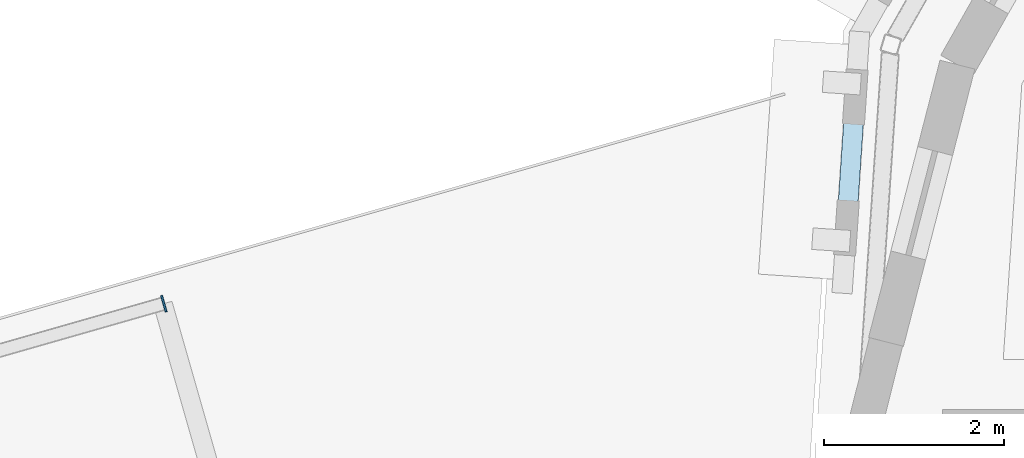
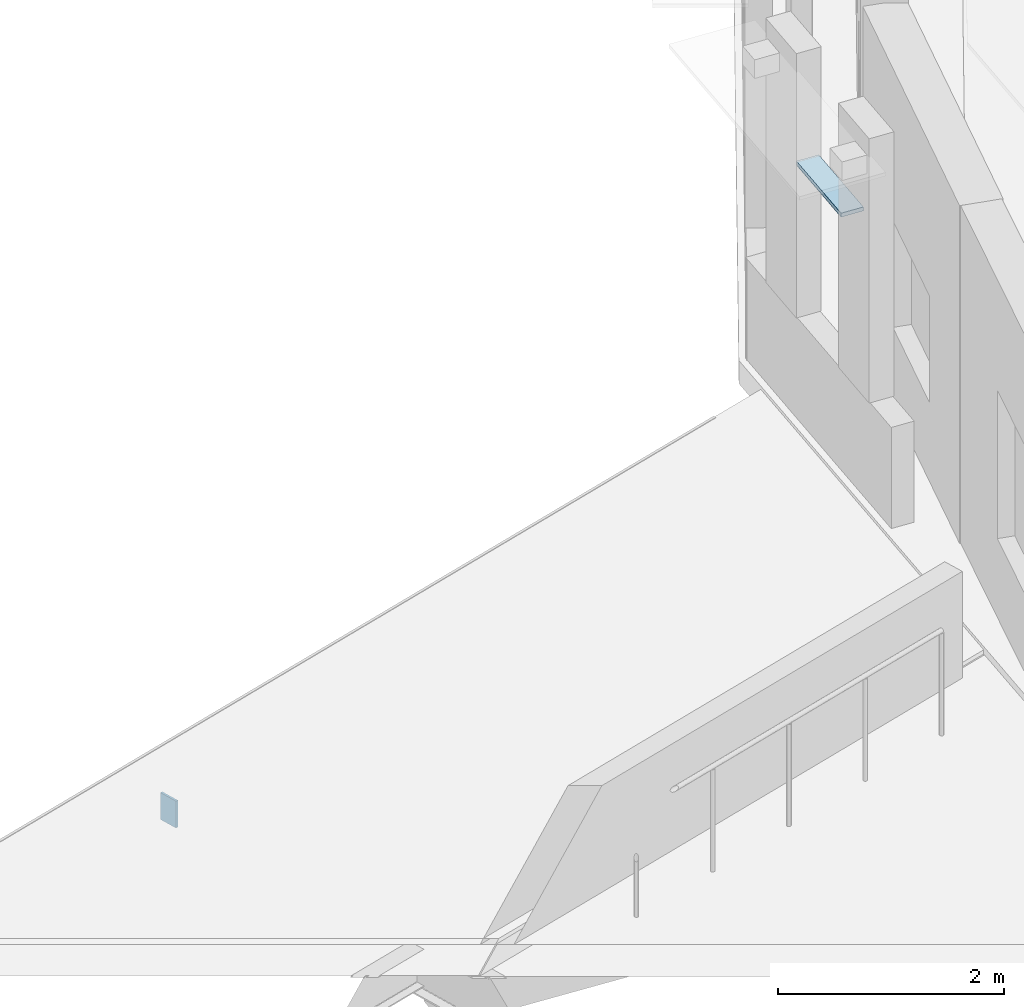
# One storey, part 48 of 90: 2 plates.
"""IFC4 building model written with IfcOpenShell, lengths in metres."""

from ifc_helpers import new_model, si_unit, direction, frame, origin, origin_2d, place, context, subcontext, project, spatial, rectangle, extrude, material, layer, layer_set, type_object, element, save


model = new_model("IFC4")

# Units and contexts
model_context = context("Model", 3, precision=1e-05, world=origin(), true_north=direction((0.0, 1.0)))
body_context = subcontext(model_context, "Body", "Model", "MODEL_VIEW")
ifc_project = project(units=[si_unit("LENGTHUNIT", "METRE"), si_unit("AREAUNIT", "SQUARE_METRE"), si_unit("VOLUMEUNIT", "CUBIC_METRE"), si_unit("PLANEANGLEUNIT", "RADIAN"), si_unit("MASSUNIT", "GRAM", prefix="KILO")], contexts=[model_context])

# Site, building, storey
site_placement = place(None, origin())
site = spatial("IfcSite", under=ifc_project, at=site_placement, CompositionType="ELEMENT")
building_placement = place(site_placement, origin())
building = spatial("IfcBuilding", under=site, at=building_placement, Name="Wrenclough Park School", CompositionType="ELEMENT")
storey_placement = place(building_placement, frame((0.0, 0.0, 8.39990234375)))
storey = spatial("IfcBuildingStorey", under=building, at=storey_placement, Name="L02", CompositionType="ELEMENT", Elevation=8.39990234375)

# Plates
ifc_material_1 = material(Name="Anodised architectural aluminium solar shading fin plate", Category="aluminium")
ifc_layer_1 = layer(ifc_material_1, 0.0380859375)
ifc_layer_set_1 = layer_set([ifc_layer_1], Name="Anodised architectural aluminium solar shading fin plate")
plate_type_1 = type_object("IfcPlateType", Name="ENV-PL-BSF", PredefinedType="SHEET", material=ifc_layer_set_1)
plate_1_placement = place(storey_placement, frame((68.715087890625, 111.345458984375, 2.72216796875), z_axis=(0.0, 0.0, 1.0), x_axis=(-0.067273779956, -0.99773455314, 0.0)))
element("IfcPlate", 1, at=plate_1_placement, inside=storey, type_object=plate_type_1, Name="D4 L02 open-bond brick screen tie band 0418", PredefinedType="SHEET", context=body_context, shape_type="SweptSolid", body=[
    extrude(rectangle(XDim=0.896728515625, YDim=0.219970703125, at=origin_2d()), origin(), (0.0, 0.0, 1.0), 0.0419921875),
])
ifc_material_2 = material(Name="Structural steel S355", Category="steel")
ifc_layer_2 = layer(ifc_material_2, 0.2900390625)
ifc_layer_set_2 = layer_set([ifc_layer_2], Name="Structural steel S355")
plate_type_2 = type_object("IfcPlateType", Name="STR-PL-EP250", PredefinedType="SHEET", material=ifc_layer_set_2)
plate_2_placement = place(storey_placement, frame((61.06884765625, 109.77392578125, -0.5), z_axis=(0.0, 0.0, 1.0), x_axis=(0.961501868857, 0.27479839189, 0.0)))
element("IfcPlate", 2, at=plate_2_placement, inside=storey, type_object=plate_type_2, Name="W34 eave fascia L4 end sealing end-cap plate", PredefinedType="SHEET", context=body_context, shape_type="SweptSolid", body=[
    extrude(rectangle(XDim=0.02197265625, YDim=0.18994140625, at=origin_2d()), origin(), (0.0, 0.0, 1.0), 0.2900390625),
])

save(model, "model.ifc")
